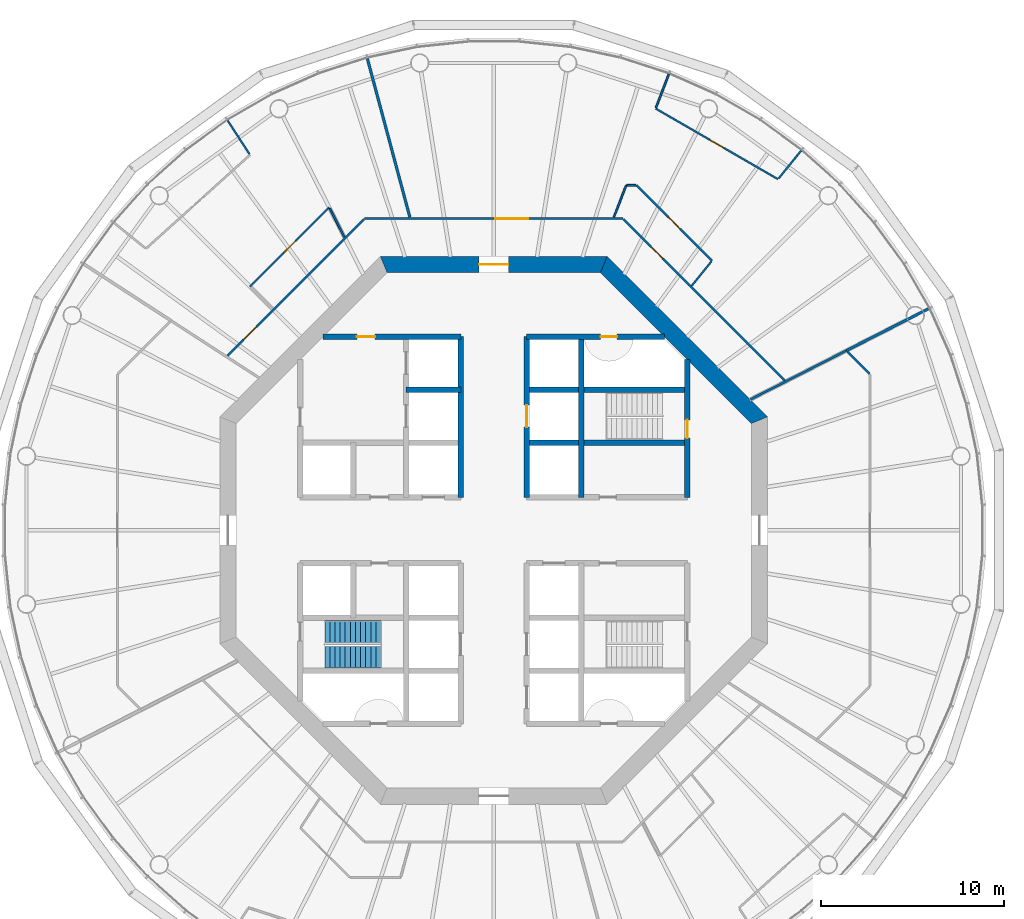
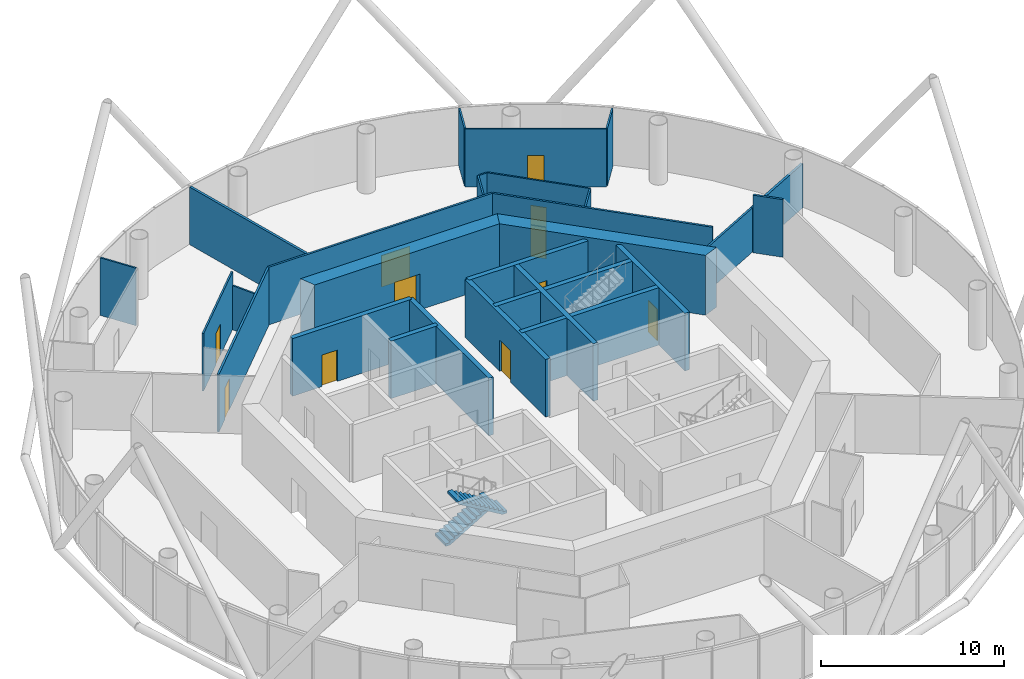
# One storey, part 5 of 13: 28 walls, 11 doors, 2 stair flights, 11 openings, 1 element without a shape of its own.
"""IFC4 building model written with IfcOpenShell, lengths in metres."""

from ifc_helpers import new_model, si_unit, direction, frame, frame_2d, origin, place, context, subcontext, project, spatial, polyline, rectangle, outline, extrude, material, layer, layer_set, type_object, element, fill, aggregate, save


model = new_model("IFC4")

# Units and contexts
model_context = context("Model", 3, precision=1e-05, world=origin(), true_north=direction((0.0, 1.0)))
body_context = subcontext(model_context, "Body", "Model", "MODEL_VIEW")
ifc_project = project(units=[si_unit("LENGTHUNIT", "METRE"), si_unit("AREAUNIT", "SQUARE_METRE"), si_unit("VOLUMEUNIT", "CUBIC_METRE"), si_unit("PLANEANGLEUNIT", "RADIAN"), si_unit("MASSUNIT", "GRAM", prefix="KILO")], contexts=[model_context])

# Site, building, storey
site_placement = place(None, origin())
site = spatial("IfcSite", under=ifc_project, at=site_placement, CompositionType="ELEMENT")
building_placement = place(site_placement, origin())
building = spatial("IfcBuilding", under=site, at=building_placement, Name="Entoto Ring Tower", CompositionType="ELEMENT")
storey_placement = place(building_placement, frame((0.0, 0.0, 218.0)))
storey = spatial("IfcBuildingStorey", under=building, at=storey_placement, Name="L50", CompositionType="ELEMENT", Elevation=218.0)

# Wall, opening, door
ifc_material_1 = material(Name="Concrete C40/50", Category="concrete")
ifc_layer_1 = layer(ifc_material_1, 0.300048828125)
ifc_layer_set_1 = layer_set([ifc_layer_1], Name="Concrete C40/50")
wall_type_1 = type_object("IfcWallType", Name="Core enclosure wall 300 mm reinforced concrete", PredefinedType="SOLIDWALL", material=ifc_layer_set_1)
wall_1_placement = place(storey_placement, frame((100.60009765625, 81.800048828125, 0.0), z_axis=(0.0, 0.0, 1.0), x_axis=(0.0, 1.0, 0.0)))
wall_1 = element("IfcWall", 1, at=wall_1_placement, inside=storey, type_object=wall_type_1, Name="wall-L50-002", PredefinedType="SOLIDWALL", context=body_context, shape_type="SweptSolid", body=[
    extrude(rectangle(XDim=7.540283203125, YDim=0.300048828125, at=frame_2d((3.77001953125, 0.0))), origin(), (0.0, 0.0, 1.0), 3.85009765625),
])
opening_1_placement = place(wall_1_placement, frame((3.25, 0.0, 0.0)))
opening_1 = element("IfcOpeningElement", 2, at=opening_1_placement, cuts=wall_1, Name="Opening K-52", PredefinedType="OPENING", context=body_context, shape_type="SweptSolid", body=[
    extrude(rectangle(XDim=1.0, YDim=2.10009765625, at=frame_2d((0.5, 1.050048828125))), frame((0.0, 0.16015625, 0.0), z_axis=(0.0, -1.0, 0.0), x_axis=(1.0, 0.0, 0.0)), (0.0, 0.0, 1.0), 0.320068359375),
])
ifc_material_2 = material(Name="Steel door leaf, fire rated", Category="steel")
ifc_layer_2 = layer(ifc_material_2, 0.050048828125)
ifc_layer_set_2 = layer_set([ifc_layer_2], Name="Steel door leaf, fire rated")
door_type_1 = type_object("IfcDoorType", Name="Fire door FD60 1000 x 2100 single leaf", OperationType="NOTDEFINED", PredefinedType="DOOR", material=ifc_layer_set_2)
door_1_placement = place(opening_1_placement, origin())
door_1 = element("IfcDoor", 3, at=door_1_placement, inside=storey, type_object=door_type_1, Name="Door K-52", OperationType="SINGLE_SWING_LEFT", OverallHeight=2.10009765625, OverallWidth=1.0, PredefinedType="DOOR", context=body_context, shape_type="SweptSolid", body=[
    extrude(rectangle(XDim=1.0, YDim=2.10009765625, at=frame_2d((0.5, 1.050048828125))), frame((0.0, 0.02490234375, 0.0), z_axis=(0.0, -1.0, 0.0), x_axis=(1.0, 0.0, 0.0)), (0.0, 0.0, 1.0), 0.050048828125),
])
fill(opening_1, door_1)

# Wall
wall_2_placement = place(storey_placement, frame((94.800048828125, 81.800048828125, 0.0), z_axis=(0.0, 0.0, 1.0), x_axis=(0.0, 1.0, 0.0)))
element("IfcWall", 4, at=wall_2_placement, inside=storey, type_object=wall_type_1, Name="wall-L50-004", PredefinedType="SOLIDWALL", context=body_context, shape_type="SweptSolid", body=[
    extrude(rectangle(XDim=8.800048828125, YDim=0.300048828125, at=frame_2d((4.39990234375, 0.0))), origin(), (0.0, 0.0, 1.0), 3.85009765625),
])

# Wall, opening, door
wall_3_placement = place(storey_placement, frame((91.800048828125, 81.800048828125, 0.0), z_axis=(0.0, 0.0, 1.0), x_axis=(0.0, 1.0, 0.0)))
wall_3 = element("IfcWall", 5, at=wall_3_placement, inside=storey, type_object=wall_type_1, Name="wall-L50-006", PredefinedType="SOLIDWALL", context=body_context, shape_type="SweptSolid", body=[
    extrude(rectangle(XDim=8.800048828125, YDim=0.300048828125, at=frame_2d((4.39990234375, 0.0))), origin(), (0.0, 0.0, 1.0), 3.85009765625),
])
opening_2_placement = place(wall_3_placement, frame((3.85009765625, 0.0, 0.0)))
opening_2 = element("IfcOpeningElement", 6, at=opening_2_placement, cuts=wall_3, Name="Opening LD", PredefinedType="OPENING", context=body_context, shape_type="SweptSolid", body=[
    extrude(rectangle(XDim=1.199951171875, YDim=2.10009765625, at=frame_2d((0.60009765625, 1.050048828125))), frame((0.0, 0.16015625, 0.0), z_axis=(0.0, -1.0, 0.0), x_axis=(1.0, 0.0, 0.0)), (0.0, 0.0, 1.0), 0.320068359375),
])
ifc_material_3 = material(Name="Steel and glass door leaf", Category="steel")
ifc_layer_3 = layer(ifc_material_3, 0.050048828125)
ifc_layer_set_3 = layer_set([ifc_layer_3], Name="Steel and glass door leaf")
door_type_2 = type_object("IfcDoorType", Name="Landing door 1200 x 2100 sliding", OperationType="DOUBLE_DOOR_SLIDING", PredefinedType="DOOR", material=ifc_layer_set_3)
door_2_placement = place(opening_2_placement, origin())
door_2 = element("IfcDoor", 7, at=door_2_placement, inside=storey, type_object=door_type_2, Name="Landing door LB1-MR", OperationType="SLIDING_TO_RIGHT", OverallHeight=2.10009765625, OverallWidth=1.199951171875, PredefinedType="DOOR", context=body_context, shape_type="SweptSolid", body=[
    extrude(rectangle(XDim=1.199951171875, YDim=2.10009765625, at=frame_2d((0.60009765625, 1.050048828125))), frame((0.0, 0.02490234375, 0.0), z_axis=(0.0, -1.0, 0.0), x_axis=(1.0, 0.0, 0.0)), (0.0, 0.0, 1.0), 0.050048828125),
])
fill(opening_2, door_2)

# Walls
for number, where, z_axis, x_axis, name in (
    (8, (88.199951171875, 81.800048828125, 0.0), (0.0, 0.0, 1.0), (0.0, 1.0, 0.0), "wall-L50-008"),
    (9, (91.800048828125, 84.800048828125, 0.0), (0.0, 0.0, 1.0), (1.0, 0.0, 0.0), "wall-L50-026"),
):
    element("IfcWall", number, at=place(storey_placement, frame(where, z_axis=z_axis, x_axis=x_axis)), inside=storey, type_object=wall_type_1, Name=name, PredefinedType="SOLIDWALL", context=body_context, shape_type="SweptSolid", body=[
        extrude(rectangle(XDim=8.800048828125, YDim=0.300048828125, at=frame_2d((4.39990234375, 0.0))), origin(), (0.0, 0.0, 1.0), 3.85009765625),
    ])
wall_4_placement = place(storey_placement, frame((85.199951171875, 87.699951171875, 0.0), z_axis=(0.0, 0.0, 1.0), x_axis=(1.0, 0.0, 0.0)))
element("IfcWall", 10, at=wall_4_placement, inside=storey, type_object=wall_type_1, Name="wall-L50-027", PredefinedType="SOLIDWALL", context=body_context, shape_type="SweptSolid", body=[
    extrude(rectangle(XDim=3.0, YDim=0.300048828125, at=frame_2d((1.5, 0.0))), origin(), (0.0, 0.0, 1.0), 3.85009765625),
])
wall_5_placement = place(storey_placement, frame((91.800048828125, 87.699951171875, 0.0), z_axis=(0.0, 0.0, 1.0), x_axis=(1.0, 0.0, 0.0)))
element("IfcWall", 11, at=wall_5_placement, inside=storey, type_object=wall_type_1, Name="wall-L50-028", PredefinedType="SOLIDWALL", context=body_context, shape_type="SweptSolid", body=[
    extrude(rectangle(XDim=8.800048828125, YDim=0.300048828125, at=frame_2d((4.39990234375, 0.0))), origin(), (0.0, 0.0, 1.0), 3.85009765625),
])

# Wall, opening, door
wall_6_placement = place(storey_placement, frame((80.65966796875, 90.60009765625, 0.0), z_axis=(0.0, 0.0, 1.0), x_axis=(1.0, 0.0, 0.0)))
wall_6 = element("IfcWall", 12, at=wall_6_placement, inside=storey, type_object=wall_type_1, Name="wall-L50-029", PredefinedType="SOLIDWALL", context=body_context, shape_type="SweptSolid", body=[
    extrude(rectangle(XDim=7.540283203125, YDim=0.300048828125, at=frame_2d((3.77001953125, 0.0))), origin(), (0.0, 0.0, 1.0), 3.85009765625),
])
opening_3_placement = place(wall_6_placement, frame((1.84033203125, 0.0, 0.0)))
opening_3 = element("IfcOpeningElement", 13, at=opening_3_placement, cuts=wall_6, Name="Opening K-22", PredefinedType="OPENING", context=body_context, shape_type="SweptSolid", body=[
    extrude(rectangle(XDim=1.0, YDim=2.10009765625, at=frame_2d((0.5, 1.050048828125))), frame((0.0, 0.16015625, 0.0), z_axis=(0.0, -1.0, 0.0), x_axis=(1.0, 0.0, 0.0)), (0.0, 0.0, 1.0), 0.320068359375),
])
door_3_placement = place(opening_3_placement, frame((1.0, 0.0, 0.0), z_axis=(0.0, 0.0, 1.0), x_axis=(-1.0, 0.0, 0.0)))
door_3 = element("IfcDoor", 14, at=door_3_placement, inside=storey, type_object=door_type_1, Name="Door K-22", OperationType="SINGLE_SWING_LEFT", OverallHeight=2.10009765625, OverallWidth=1.0, PredefinedType="DOOR", context=body_context, shape_type="SweptSolid", body=[
    extrude(rectangle(XDim=1.0, YDim=2.10009765625, at=frame_2d((0.5, 1.050048828125))), frame((0.0, 0.02490234375, 0.0), z_axis=(0.0, -1.0, 0.0), x_axis=(1.0, 0.0, 0.0)), (0.0, 0.0, 1.0), 0.050048828125),
])
fill(opening_3, door_3)

wall_7_placement = place(storey_placement, frame((91.800048828125, 90.60009765625, 0.0), z_axis=(0.0, 0.0, 1.0), x_axis=(1.0, 0.0, 0.0)))
wall_7 = element("IfcWall", 15, at=wall_7_placement, inside=storey, type_object=wall_type_1, Name="wall-L50-030", PredefinedType="SOLIDWALL", context=body_context, shape_type="SweptSolid", body=[
    extrude(rectangle(XDim=7.540283203125, YDim=0.300048828125, at=frame_2d((3.77001953125, 0.0))), origin(), (0.0, 0.0, 1.0), 3.85009765625),
])
opening_4_placement = place(wall_7_placement, frame((4.050048828125, 0.0, 0.0)))
opening_4 = element("IfcOpeningElement", 16, at=opening_4_placement, cuts=wall_7, Name="Opening K-60", PredefinedType="OPENING", context=body_context, shape_type="SweptSolid", body=[
    extrude(rectangle(XDim=0.89990234375, YDim=2.10009765625, at=frame_2d((0.449951171875, 1.050048828125))), frame((0.0, 0.16015625, 0.0), z_axis=(0.0, -1.0, 0.0), x_axis=(1.0, 0.0, 0.0)), (0.0, 0.0, 1.0), 0.320068359375),
])
ifc_material_4 = material(Name="Steel door leaf, fire rated", Category="steel")
ifc_layer_4 = layer(ifc_material_4, 0.050048828125)
ifc_layer_set_4 = layer_set([ifc_layer_4], Name="Steel door leaf, fire rated")
door_type_3 = type_object("IfcDoorType", Name="Riser door FD60 900 x 2100 single leaf", OperationType="NOTDEFINED", PredefinedType="DOOR", material=ifc_layer_set_4)
door_4_placement = place(opening_4_placement, frame((0.89990234375, 0.0, 0.0), z_axis=(0.0, 0.0, 1.0), x_axis=(-1.0, 0.0, 0.0)))
door_4 = element("IfcDoor", 17, at=door_4_placement, inside=storey, type_object=door_type_3, Name="Door K-60", OperationType="SINGLE_SWING_RIGHT", OverallHeight=2.10009765625, OverallWidth=0.89990234375, PredefinedType="DOOR", context=body_context, shape_type="SweptSolid", body=[
    extrude(rectangle(XDim=0.89990234375, YDim=2.10009765625, at=frame_2d((0.449951171875, 1.050048828125))), frame((0.0, 0.02490234375, 0.0), z_axis=(0.0, -1.0, 0.0), x_axis=(1.0, 0.0, 0.0)), (0.0, 0.0, 1.0), 0.050048828125),
])
fill(opening_4, door_4)

# Wall
ifc_material_5 = material(Name="Concrete C50/60", Category="concrete")
ifc_layer_5 = layer(ifc_material_5, 0.89990234375)
ifc_layer_set_5 = layer_set([ifc_layer_5], Name="Concrete C50/60")
wall_type_2 = type_object("IfcWallType", Name="Core shear wall 900 mm reinforced concrete C50/60", PredefinedType="SHEAR", material=ifc_layer_set_5)
wall_8_placement = place(storey_placement, frame((104.550048828125, 86.02685546875, 0.0), z_axis=(0.0, 0.0, 1.0), x_axis=(-0.707106781187, 0.707106781187, 0.0)))
element("IfcWall", 18, at=wall_8_placement, inside=storey, type_object=wall_type_2, Name="wall-L50-core-1", PredefinedType="SHEAR", context=body_context, shape_type="SweptSolid", body=[
    extrude(outline(polyline([(-0.186279296875, -0.449951171875), (12.239990234375, -0.449951171875), (11.867431640625, 0.449951171875), (0.186279296875, 0.449951171875), (-0.186279296875, -0.449951171875)])), origin(), (0.0, 0.0, 1.0), 4.0),
])

# Wall, opening, door
wall_9_placement = place(storey_placement, frame((96.02685546875, 94.550048828125, 0.0), z_axis=(0.0, 0.0, 1.0), x_axis=(-1.0, 0.0, 0.0)))
wall_9 = element("IfcWall", 19, at=wall_9_placement, inside=storey, type_object=wall_type_2, Name="wall-L50-core-2", PredefinedType="SHEAR", context=body_context, shape_type="SweptSolid", body=[
    extrude(outline(polyline([(-0.186279296875, -0.449951171875), (12.239990234375, -0.449951171875), (11.867431640625, 0.449951171875), (0.186279296875, 0.449951171875), (-0.186279296875, -0.449951171875)])), origin(), (0.0, 0.0, 1.0), 4.0),
])
opening_5_placement = place(wall_9_placement, frame((5.226806640625, 0.0, 0.0)))
opening_5 = element("IfcOpeningElement", 20, at=opening_5_placement, cuts=wall_9, Name="Opening K-02", PredefinedType="OPENING", context=body_context, shape_type="SweptSolid", body=[
    extrude(rectangle(XDim=1.60009765625, YDim=2.39990234375, at=frame_2d((0.800048828125, 1.199951171875))), frame((0.0, 0.4599609375, 0.0), z_axis=(0.0, -1.0, 0.0), x_axis=(1.0, 0.0, 0.0)), (0.0, 0.0, 1.0), 0.919921875),
])
ifc_material_6 = material(Name="Steel door leaf, fire rated", Category="steel")
ifc_layer_6 = layer(ifc_material_6, 0.050048828125)
ifc_layer_set_6 = layer_set([ifc_layer_6], Name="Steel door leaf, fire rated")
door_type_4 = type_object("IfcDoorType", Name="Entrance door FD60 1600 x 2400 double leaf", OperationType="DOUBLE_DOOR_SINGLE_SWING", PredefinedType="DOOR", material=ifc_layer_set_6)
door_5_placement = place(opening_5_placement, origin())
door_5 = element("IfcDoor", 21, at=door_5_placement, inside=storey, type_object=door_type_4, Name="Entrance door K-02", OperationType="DOUBLE_DOOR_SINGLE_SWING", OverallHeight=2.39990234375, OverallWidth=1.60009765625, PredefinedType="DOOR", context=body_context, shape_type="SweptSolid", body=[
    extrude(rectangle(XDim=1.60009765625, YDim=2.39990234375, at=frame_2d((0.800048828125, 1.199951171875))), frame((0.0, 0.02490234375, 0.0), z_axis=(0.0, -1.0, 0.0), x_axis=(1.0, 0.0, 0.0)), (0.0, 0.0, 1.0), 0.050048828125),
])
fill(opening_5, door_5)

ifc_material_7 = material(Name="Fire-resisting plasterboard on steel studs", Category="steel")
ifc_layer_7 = layer(ifc_material_7, 0.125)
ifc_layer_set_7 = layer_set([ifc_layer_7], Name="Fire-resisting plasterboard on steel studs")
wall_type_3 = type_object("IfcWallType", Name="Corridor wall 125 mm one-hour plasterboard on steel studs", PredefinedType="PARTITIONING", material=ifc_layer_set_7)
wall_10_placement = place(storey_placement, frame((82.9326171875, 97.0625, 0.0), z_axis=(0.0, 0.0, 1.0), x_axis=(1.0, 0.0, 0.0)))
wall_10 = element("IfcWall", 22, at=wall_10_placement, inside=storey, type_object=wall_type_3, Name="partition-L50-004", PredefinedType="PARTITIONING", context=body_context, shape_type="SweptSolid", body=[
    extrude(rectangle(XDim=14.134765625, YDim=0.125, at=frame_2d((7.0673828125, 0.0))), origin(), (0.0, 0.0, 1.0), 3.85009765625),
])
opening_6_placement = place(wall_10_placement, frame((7.156494140625, 0.0, 0.0)))
opening_6 = element("IfcOpeningElement", 23, at=opening_6_placement, cuts=wall_10, Name="Opening A22-D03", PredefinedType="OPENING", context=body_context, shape_type="SweptSolid", body=[
    extrude(rectangle(XDim=1.800048828125, YDim=2.10009765625, at=frame_2d((0.89990234375, 1.050048828125))), frame((0.0, 0.072509765625, 0.0), z_axis=(0.0, -1.0, 0.0), x_axis=(1.0, 0.0, 0.0)), (0.0, 0.0, 1.0), 0.14501953125),
])
ifc_material_8 = material(Name="Fire-resisting timber door set", Category="wood")
door_type_5 = type_object("IfcDoorType", Name="Door 1800 x 2100 double leaf FD30S fire door", OperationType="DOUBLE_DOOR_SINGLE_SWING", PredefinedType="DOOR", material=ifc_material_8)
door_6_placement = place(opening_6_placement, origin())
door_6 = element("IfcDoor", 24, at=door_6_placement, inside=storey, type_object=door_type_5, Name="Door A22-D03", OperationType="DOUBLE_DOOR_SINGLE_SWING", OverallHeight=2.10009765625, OverallWidth=1.800048828125, PredefinedType="DOOR", context=body_context, shape_type="SweptSolid", body=[
    extrude(rectangle(XDim=1.800048828125, YDim=2.10009765625, at=frame_2d((0.89990234375, 1.050048828125))), frame((0.0, 0.02490234375, 0.0), z_axis=(0.0, -1.0, 0.0), x_axis=(1.0, 0.0, 0.0)), (0.0, 0.0, 1.0), 0.050048828125),
])
fill(opening_6, door_6)

wall_11_placement = place(storey_placement, frame((105.924560546875, 88.20556640625, 0.0), z_axis=(0.0, 0.0, 1.0), x_axis=(-0.707106781187, 0.707106781187, 0.0)))
wall_11 = element("IfcWall", 25, at=wall_11_placement, inside=storey, type_object=wall_type_3, Name="partition-L50-006", PredefinedType="PARTITIONING", context=body_context, shape_type="SweptSolid", body=[
    extrude(rectangle(XDim=12.481689453125, YDim=0.125, at=frame_2d((6.24072265625, 0.0))), origin(), (0.0, 0.0, 1.0), 3.85009765625),
])
opening_7_placement = place(wall_11_placement, frame((9.4384765625, 0.0, 0.0)))
opening_7 = element("IfcOpeningElement", 26, at=opening_7_placement, cuts=wall_11, Name="Opening A22-D05", PredefinedType="OPENING", context=body_context, shape_type="SweptSolid", body=[
    extrude(rectangle(XDim=0.89990234375, YDim=2.10009765625, at=frame_2d((0.449951171875, 1.050048828125))), frame((0.0, 0.072509765625, 0.0), z_axis=(0.0, -1.0, 0.0), x_axis=(1.0, 0.0, 0.0)), (0.0, 0.0, 1.0), 0.14501953125),
])
ifc_material_9 = material(Name="Fire-resisting timber door set", Category="wood")
door_type_6 = type_object("IfcDoorType", Name="Door 1000 x 2100 single leaf FD30S fire door", OperationType="NOTDEFINED", PredefinedType="DOOR", material=ifc_material_9)
door_7_placement = place(opening_7_placement, frame((0.89990234375, 0.0, 0.0), z_axis=(0.0, 0.0, 1.0), x_axis=(-1.0, 0.0, 0.0)))
door_7 = element("IfcDoor", 27, at=door_7_placement, inside=storey, type_object=door_type_6, Name="Door A22-D05", OperationType="SINGLE_SWING_RIGHT", OverallHeight=2.10009765625, OverallWidth=0.89990234375, PredefinedType="DOOR", context=body_context, shape_type="SweptSolid", body=[
    extrude(rectangle(XDim=0.89990234375, YDim=2.10009765625, at=frame_2d((0.449951171875, 1.050048828125))), frame((0.0, 0.02490234375, 0.0), z_axis=(0.0, -1.0, 0.0), x_axis=(1.0, 0.0, 0.0)), (0.0, 0.0, 1.0), 0.050048828125),
])
fill(opening_7, door_7)

wall_12_placement = place(storey_placement, frame((75.425048828125, 89.554931640625, 0.0), z_axis=(0.0, 0.0, 1.0), x_axis=(0.707095235926, 0.707118326258, 0.0)))
wall_12 = element("IfcWall", 28, at=wall_12_placement, inside=storey, type_object=wall_type_3, Name="partition-L50-007", PredefinedType="PARTITIONING", context=body_context, shape_type="SweptSolid", body=[
    extrude(rectangle(XDim=10.5732421875, YDim=0.125, at=frame_2d((5.28662109375, 0.0))), origin(), (0.0, 0.0, 1.0), 3.85009765625),
])
opening_8_placement = place(wall_12_placement, frame((1.236328125, 0.0, 0.0)))
opening_8 = element("IfcOpeningElement", 29, at=opening_8_placement, cuts=wall_12, Name="Opening A22-D07", PredefinedType="OPENING", context=body_context, shape_type="SweptSolid", body=[
    extrude(rectangle(XDim=1.0, YDim=2.10009765625, at=frame_2d((0.5, 1.050048828125))), frame((0.0, 0.072509765625, 0.0), z_axis=(0.0, -1.0, 0.0), x_axis=(1.0, 0.0, 0.0)), (0.0, 0.0, 1.0), 0.14501953125),
])
door_8_placement = place(opening_8_placement, origin())
door_8 = element("IfcDoor", 30, at=door_8_placement, inside=storey, type_object=door_type_6, Name="Door A22-D07", OperationType="SINGLE_SWING_RIGHT", OverallHeight=2.10009765625, OverallWidth=1.0, PredefinedType="DOOR", context=body_context, shape_type="SweptSolid", body=[
    extrude(rectangle(XDim=1.0, YDim=2.10009765625, at=frame_2d((0.5, 1.050048828125))), frame((0.0, 0.02490234375, 0.0), z_axis=(0.0, -1.0, 0.0), x_axis=(1.0, 0.0, 0.0)), (0.0, 0.0, 1.0), 0.050048828125),
])
fill(opening_8, door_8)

# Walls
wall_13_placement = place(storey_placement, frame((110.56884765625, 88.56396484375, 0.0), z_axis=(0.0, 0.0, 1.0), x_axis=(-0.707106781187, 0.707106781187, 0.0)))
element("IfcWall", 31, at=wall_13_placement, inside=storey, type_object=wall_type_3, Name="partition-L50-016", PredefinedType="PARTITIONING", context=body_context, shape_type="SweptSolid", body=[
    extrude(rectangle(XDim=1.6962890625, YDim=0.125, at=frame_2d((0.84814453125, 0.0))), origin(), (0.0, 0.0, 1.0), 3.85009765625),
])
ifc_material_10 = material(Name="Fire-resisting plasterboard on steel studs", Category="steel")
ifc_layer_8 = layer(ifc_material_10, 0.125)
ifc_layer_set_8 = layer_set([ifc_layer_8], Name="Fire-resisting plasterboard on steel studs")
wall_type_4 = type_object("IfcWallType", Name="Corridor wall 125 mm one-hour plasterboard on steel studs, 2950 mm high", PredefinedType="PARTITIONING", material=ifc_layer_set_8)
wall_14_placement = place(storey_placement, frame((104.052978515625, 87.160400390625, 0.0), z_axis=(0.0, 0.0, 1.0), x_axis=(0.891009750901, 0.453984166905, 0.0)))
element("IfcWall", 32, at=wall_14_placement, inside=storey, type_object=wall_type_4, Name="partition-L50-009", PredefinedType="PARTITIONING", context=body_context, shape_type="SweptSolid", body=[
    extrude(rectangle(XDim=5.88818359375, YDim=0.125, at=frame_2d((2.944091796875, 0.0))), origin(), (0.0, 0.0, 1.0), 2.949951171875),
])

# Wall, opening, door
ifc_material_11 = material(Name="Plasterboard on steel studs", Category="steel")
ifc_layer_9 = layer(ifc_material_11, 0.10009765625)
ifc_layer_set_9 = layer_set([ifc_layer_9], Name="Plasterboard on steel studs")
wall_type_5 = type_object("IfcWallType", Name="Partition 100 mm plasterboard on steel studs", PredefinedType="PARTITIONING", material=ifc_layer_set_9)
wall_15_placement = place(storey_placement, frame((105.56298828125, 99.21875, 0.0), z_axis=(0.0, 0.0, 1.0), x_axis=(-0.866024795611, 0.500001053386, 0.0)))
wall_15 = element("IfcWall", 33, at=wall_15_placement, inside=storey, type_object=wall_type_5, Name="partition-L50-024", PredefinedType="PARTITIONING", context=body_context, shape_type="SweptSolid", body=[
    extrude(rectangle(XDim=7.7373046875, YDim=0.10009765625, at=frame_2d((3.86865234375, 0.0))), origin(), (0.0, 0.0, 1.0), 3.85009765625),
])
opening_9_placement = place(wall_15_placement, frame((3.418701171875, 0.0, 0.0)))
opening_9 = element("IfcOpeningElement", 34, at=opening_9_placement, cuts=wall_15, Name="Opening A22-D06", PredefinedType="OPENING", context=body_context, shape_type="SweptSolid", body=[
    extrude(rectangle(XDim=0.89990234375, YDim=2.10009765625, at=frame_2d((0.449951171875, 1.050048828125))), frame((0.0, 0.06005859375, 0.0), z_axis=(0.0, -1.0, 0.0), x_axis=(1.0, 0.0, 0.0)), (0.0, 0.0, 1.0), 0.1201171875),
])
ifc_material_12 = material(Name="Veneered timber door leaf in timber frame", Category="wood")
door_type_7 = type_object("IfcDoorType", Name="Door 900 x 2100 single leaf timber veneer", OperationType="NOTDEFINED", PredefinedType="DOOR", material=ifc_material_12)
door_9_placement = place(opening_9_placement, frame((0.89990234375, 0.0, 0.0), z_axis=(0.0, 0.0, 1.0), x_axis=(-1.0, 0.0, 0.0)))
door_9 = element("IfcDoor", 35, at=door_9_placement, inside=storey, type_object=door_type_7, Name="Door A22-D06", OperationType="SINGLE_SWING_RIGHT", OverallHeight=2.10009765625, OverallWidth=0.89990234375, PredefinedType="DOOR", context=body_context, shape_type="SweptSolid", body=[
    extrude(rectangle(XDim=0.89990234375, YDim=2.10009765625, at=frame_2d((0.449951171875, 1.050048828125))), frame((0.0, 0.02490234375, 0.0), z_axis=(0.0, -1.0, 0.0), x_axis=(1.0, 0.0, 0.0)), (0.0, 0.0, 1.0), 0.050048828125),
])
fill(opening_9, door_9)

wall_16_placement = place(storey_placement, frame((76.655029296875, 93.344970703125, 0.0), z_axis=(0.0, 0.0, 1.0), x_axis=(0.707126687631, 0.707086874181, 0.0)))
wall_16 = element("IfcWall", 36, at=wall_16_placement, inside=storey, type_object=wall_type_5, Name="partition-L50-027", PredefinedType="PARTITIONING", context=body_context, shape_type="SweptSolid", body=[
    extrude(rectangle(XDim=6.132080078125, YDim=0.10009765625, at=frame_2d((3.06591796875, 0.0))), origin(), (0.0, 0.0, 1.0), 3.85009765625),
])
opening_10_placement = place(wall_16_placement, frame((2.615966796875, 0.0, 0.0)))
opening_10 = element("IfcOpeningElement", 37, at=opening_10_placement, cuts=wall_16, Name="Opening A22-D08", PredefinedType="OPENING", context=body_context, shape_type="SweptSolid", body=[
    extrude(rectangle(XDim=0.89990234375, YDim=2.10009765625, at=frame_2d((0.449951171875, 1.050048828125))), frame((0.0, 0.06005859375, 0.0), z_axis=(0.0, -1.0, 0.0), x_axis=(1.0, 0.0, 0.0)), (0.0, 0.0, 1.0), 0.1201171875),
])
door_10_placement = place(opening_10_placement, frame((0.89990234375, 0.0, 0.0), z_axis=(0.0, 0.0, 1.0), x_axis=(-1.0, 0.0, 0.0)))
door_10 = element("IfcDoor", 38, at=door_10_placement, inside=storey, type_object=door_type_7, Name="Door A22-D08", OperationType="SINGLE_SWING_LEFT", OverallHeight=2.10009765625, OverallWidth=0.89990234375, PredefinedType="DOOR", context=body_context, shape_type="SweptSolid", body=[
    extrude(rectangle(XDim=0.89990234375, YDim=2.10009765625, at=frame_2d((0.449951171875, 1.050048828125))), frame((0.0, 0.02490234375, 0.0), z_axis=(0.0, -1.0, 0.0), x_axis=(1.0, 0.0, 0.0)), (0.0, 0.0, 1.0), 0.050048828125),
])
fill(opening_10, door_10)

wall_17_placement = place(storey_placement, frame((101.948486328125, 94.75537109375, 0.0), z_axis=(0.0, 0.0, 1.0), x_axis=(-0.707106781187, 0.707106781187, 0.0)))
wall_17 = element("IfcWall", 39, at=wall_17_placement, inside=storey, type_object=wall_type_5, Name="partition-L50-028", PredefinedType="PARTITIONING", context=body_context, shape_type="SweptSolid", body=[
    extrude(rectangle(XDim=5.836669921875, YDim=0.10009765625, at=frame_2d((2.91845703125, 0.0))), origin(), (0.0, 0.0, 1.0), 3.85009765625),
])
opening_11_placement = place(wall_17_placement, frame((2.468505859375, 0.0, 0.0)))
opening_11 = element("IfcOpeningElement", 40, at=opening_11_placement, cuts=wall_17, Name="Opening A22-D04", PredefinedType="OPENING", context=body_context, shape_type="SweptSolid", body=[
    extrude(rectangle(XDim=0.89990234375, YDim=2.10009765625, at=frame_2d((0.449951171875, 1.050048828125))), frame((0.0, 0.06005859375, 0.0), z_axis=(0.0, -1.0, 0.0), x_axis=(1.0, 0.0, 0.0)), (0.0, 0.0, 1.0), 0.1201171875),
])
door_11_placement = place(opening_11_placement, origin())
door_11 = element("IfcDoor", 41, at=door_11_placement, inside=storey, type_object=door_type_7, Name="Door A22-D04", OperationType="SINGLE_SWING_LEFT", OverallHeight=2.10009765625, OverallWidth=0.89990234375, PredefinedType="DOOR", context=body_context, shape_type="SweptSolid", body=[
    extrude(rectangle(XDim=0.89990234375, YDim=2.10009765625, at=frame_2d((0.449951171875, 1.050048828125))), frame((0.0, 0.02490234375, 0.0), z_axis=(0.0, -1.0, 0.0), x_axis=(1.0, 0.0, 0.0)), (0.0, 0.0, 1.0), 0.050048828125),
])
fill(opening_11, door_11)

# Walls
wall_18_placement = place(storey_placement, frame((76.62939453125, 100.5888671875, 0.0), z_axis=(0.0, 0.0, 1.0), x_axis=(-0.544655329209, 0.838659986147, 0.0)))
element("IfcWall", 42, at=wall_18_placement, inside=storey, type_object=wall_type_5, Name="partition-L50-032", PredefinedType="PARTITIONING", context=body_context, shape_type="SweptSolid", body=[
    extrude(rectangle(XDim=2.190673828125, YDim=0.10009765625, at=frame_2d((1.09521484375, 0.0))), origin(), (0.0, 0.0, 1.0), 3.85009765625),
])
wall_19_placement = place(storey_placement, frame((98.880126953125, 103.133544921875, 0.0), z_axis=(0.0, 0.0, 1.0), x_axis=(0.358386544472, 0.933573288361, 0.0)))
element("IfcWall", 43, at=wall_19_placement, inside=storey, type_object=wall_type_5, Name="partition-L50-040", PredefinedType="PARTITIONING", context=body_context, shape_type="SweptSolid", body=[
    extrude(rectangle(XDim=1.96044921875, YDim=0.10009765625, at=frame_2d((0.980224609375, 0.0))), origin(), (0.0, 0.0, 1.0), 3.85009765625),
])
wall_20_placement = place(storey_placement, frame((105.593994140625, 99.257080078125, 0.0), z_axis=(0.0, 0.0, 1.0), x_axis=(0.629269861467, 0.777186876786, 0.0)))
element("IfcWall", 44, at=wall_20_placement, inside=storey, type_object=wall_type_5, Name="partition-L50-041", PredefinedType="PARTITIONING", context=body_context, shape_type="SweptSolid", body=[
    extrude(rectangle(XDim=1.9609375, YDim=0.10009765625, at=frame_2d((0.98046875, 0.0))), origin(), (0.0, 0.0, 1.0), 3.85009765625),
])
wall_21_placement = place(storey_placement, frame((96.58056640625, 97.142822265625, 0.0), z_axis=(0.0, 0.0, 1.0), x_axis=(0.358320548369, 0.933598620723, 0.0)))
element("IfcWall", 45, at=wall_21_placement, inside=storey, type_object=wall_type_5, Name="partition-L50-044", PredefinedType="PARTITIONING", context=body_context, shape_type="SweptSolid", body=[
    extrude(rectangle(XDim=1.863525390625, YDim=0.10009765625, at=frame_2d((0.931640625, 0.0))), origin(), (0.0, 0.0, 1.0), 3.85009765625),
])
wall_22_placement = place(storey_placement, frame((100.83984375, 93.385986328125, 0.0), z_axis=(0.0, 0.0, 1.0), x_axis=(0.629222838728, 0.777224947633, 0.0)))
element("IfcWall", 46, at=wall_22_placement, inside=storey, type_object=wall_type_5, Name="partition-L50-046", PredefinedType="PARTITIONING", context=body_context, shape_type="SweptSolid", body=[
    extrude(rectangle(XDim=1.712158203125, YDim=0.10009765625, at=frame_2d((0.85595703125, 0.0))), origin(), (0.0, 0.0, 1.0), 3.85009765625),
])
wall_23_placement = place(storey_placement, frame((97.294921875, 98.882568359375, 0.0), z_axis=(0.0, 0.0, 1.0), x_axis=(1.0, 0.0, 0.0)))
element("IfcWall", 47, at=wall_23_placement, inside=storey, type_object=wall_type_5, Name="partition-L50-048", PredefinedType="PARTITIONING", context=body_context, shape_type="SweptSolid", body=[
    extrude(rectangle(XDim=0.4912109375, YDim=0.10009765625, at=frame_2d((0.24560546875, 0.0))), origin(), (0.0, 0.0, 1.0), 3.85009765625),
])
ifc_material_13 = material(Name="Plasterboard on steel studs", Category="steel")
ifc_layer_10 = layer(ifc_material_13, 0.10009765625)
ifc_layer_set_10 = layer_set([ifc_layer_10], Name="Plasterboard on steel studs")
wall_type_6 = type_object("IfcWallType", Name="Partition 100 mm plasterboard on steel studs, 2950 mm high", PredefinedType="PARTITIONING", material=ifc_layer_set_10)
wall_24_placement = place(storey_placement, frame((81.818115234375, 96.05810546875, 0.0), z_axis=(0.0, 0.0, 1.0), x_axis=(-0.454109401768, 0.890945930585, 0.0)))
element("IfcWall", 48, at=wall_24_placement, inside=storey, type_object=wall_type_6, Name="partition-L50-045", PredefinedType="PARTITIONING", context=body_context, shape_type="SweptSolid", body=[
    extrude(rectangle(XDim=1.752685546875, YDim=0.10009765625, at=frame_2d((0.87646484375, 0.0))), origin(), (0.0, 0.0, 1.0), 2.949951171875),
])
ifc_material_14 = material(Name="Fire-resisting acoustic plasterboard on steel studs", Category="steel")
ifc_layer_11 = layer(ifc_material_14, 0.14990234375)
ifc_layer_set_11 = layer_set([ifc_layer_11], Name="Fire-resisting acoustic plasterboard on steel studs")
wall_type_7 = type_object("IfcWallType", Name="Party wall 150 mm one-hour acoustic plasterboard on steel studs", PredefinedType="PARTITIONING", material=ifc_layer_set_11)
wall_25_placement = place(storey_placement, frame((85.40625, 97.144287109375, 0.0), z_axis=(0.0, 0.0, 1.0), x_axis=(-0.258831999562, 0.965922355059, 0.0)))
element("IfcWall", 49, at=wall_25_placement, inside=storey, type_object=wall_type_7, Name="partition-L50-017", PredefinedType="PARTITIONING", context=body_context, shape_type="SweptSolid", body=[
    extrude(rectangle(XDim=8.990966796875, YDim=0.14990234375, at=frame_2d((4.49560546875, 0.0))), origin(), (0.0, 0.0, 1.0), 3.85009765625),
])
ifc_material_15 = material(Name="Fire-resisting acoustic plasterboard on steel studs", Category="steel")
ifc_layer_12 = layer(ifc_material_15, 0.14990234375)
ifc_layer_set_12 = layer_set([ifc_layer_12], Name="Fire-resisting acoustic plasterboard on steel studs")
wall_type_8 = type_object("IfcWallType", Name="Party wall 150 mm one-hour acoustic plasterboard on steel studs, 2950 mm high", PredefinedType="PARTITIONING", material=ifc_layer_set_12)
wall_26_placement = place(storey_placement, frame((109.299560546875, 89.83349609375, 0.0), z_axis=(0.0, 0.0, 1.0), x_axis=(0.890998412494, 0.454006419485, 0.0)))
element("IfcWall", 50, at=wall_26_placement, inside=storey, type_object=wall_type_8, Name="partition-L50-021", PredefinedType="PARTITIONING", context=body_context, shape_type="SweptSolid", body=[
    extrude(rectangle(XDim=5.07958984375, YDim=0.14990234375, at=frame_2d((2.539794921875, 0.0))), origin(), (0.0, 0.0, 1.0), 2.949951171875),
])

# Stair, stair flights
ifc_material_16 = material(Name="Concrete C40/50", Category="concrete")
stair_type = type_object("IfcStairType", Name="Exit stair 1200 mm dog-leg reinforced concrete", PredefinedType="HALF_TURN_STAIR", material=ifc_material_16)
stair_placement = place(storey_placement, origin())
stair = element("IfcStair", 51, at=stair_placement, inside=storey, type_object=stair_type, Name="Exit stair 2", PredefinedType="HALF_TURN_STAIR")
ifc_material_17 = material(Name="Concrete C40/50", Category="concrete")
stair_flight_type = type_object("IfcStairFlightType", Name="Stair flight 1200 mm reinforced concrete", PredefinedType="STRAIGHT", material=ifc_material_17)
stair_flight_1_placement = place(storey_placement, frame((80.75, 74.449951171875, 0.0), z_axis=(0.0, 0.0, 1.0), x_axis=(1.0, 0.0, 0.0)))
stair_flight_1 = element("IfcStairFlight", 52, at=stair_flight_1_placement, type_object=stair_flight_type, Name="ST2 flight 1", NumberOfRisers=12, NumberOfTreads=11, PredefinedType="STRAIGHT", RiserHeight=0.166666667, TreadLength=0.28, context=body_context, shape_type="SweptSolid", body=[
    extrude(outline(polyline([(0.0, 0.0), (0.0, 0.166748046875), (0.280029296875, 0.166748046875), (0.280029296875, 0.333251953125), (0.56005859375, 0.333251953125), (0.56005859375, 0.5), (0.840087890625, 0.5), (0.840087890625, 0.666748046875), (1.1201171875, 0.666748046875), (1.1201171875, 0.833251953125), (1.39990234375, 0.833251953125), (1.39990234375, 1.0), (1.679931640625, 1.0), (1.679931640625, 1.166748046875), (1.9599609375, 1.166748046875), (1.9599609375, 1.333251953125), (2.239990234375, 1.333251953125), (2.239990234375, 1.5), (2.52001953125, 1.5), (2.52001953125, 1.666748046875), (2.800048828125, 1.666748046875), (2.800048828125, 1.833251953125), (3.080078125, 1.833251953125), (3.080078125, 2.0), (3.080078125, 1.658935546875), (0.29296875, 0.0), (0.0, 0.0)])), frame((0.0, 0.60009765625, 0.0), z_axis=(0.0, -1.0, 0.0), x_axis=(1.0, 0.0, 0.0)), (0.0, 0.0, 1.0), 1.199951171875),
])
stair_flight_2_placement = place(storey_placement, frame((83.830078125, 73.050048828125, 2.0), z_axis=(0.0, 0.0, 1.0), x_axis=(-1.0, 0.0, 0.0)))
stair_flight_2 = element("IfcStairFlight", 53, at=stair_flight_2_placement, type_object=stair_flight_type, Name="ST2 flight 2", NumberOfRisers=12, NumberOfTreads=11, PredefinedType="STRAIGHT", RiserHeight=0.166666667, TreadLength=0.28, context=body_context, shape_type="SweptSolid", body=[
    extrude(outline(polyline([(0.0, 0.0), (0.0, 0.166748046875), (0.280029296875, 0.166748046875), (0.280029296875, 0.333251953125), (0.56005859375, 0.333251953125), (0.56005859375, 0.5), (0.840087890625, 0.5), (0.840087890625, 0.666748046875), (1.1201171875, 0.666748046875), (1.1201171875, 0.833251953125), (1.39990234375, 0.833251953125), (1.39990234375, 1.0), (1.679931640625, 1.0), (1.679931640625, 1.166748046875), (1.9599609375, 1.166748046875), (1.9599609375, 1.333251953125), (2.239990234375, 1.333251953125), (2.239990234375, 1.5), (2.52001953125, 1.5), (2.52001953125, 1.666748046875), (2.800048828125, 1.666748046875), (2.800048828125, 1.833251953125), (3.080078125, 1.833251953125), (3.080078125, 2.0), (3.080078125, 1.658935546875), (0.29296875, 0.0), (0.0, 0.0)])), frame((0.0, 0.60009765625, 0.0), z_axis=(0.0, -1.0, 0.0), x_axis=(1.0, 0.0, 0.0)), (0.0, 0.0, 1.0), 1.199951171875),
])
aggregate(stair, [stair_flight_1, stair_flight_2])

save(model, "model.ifc")
